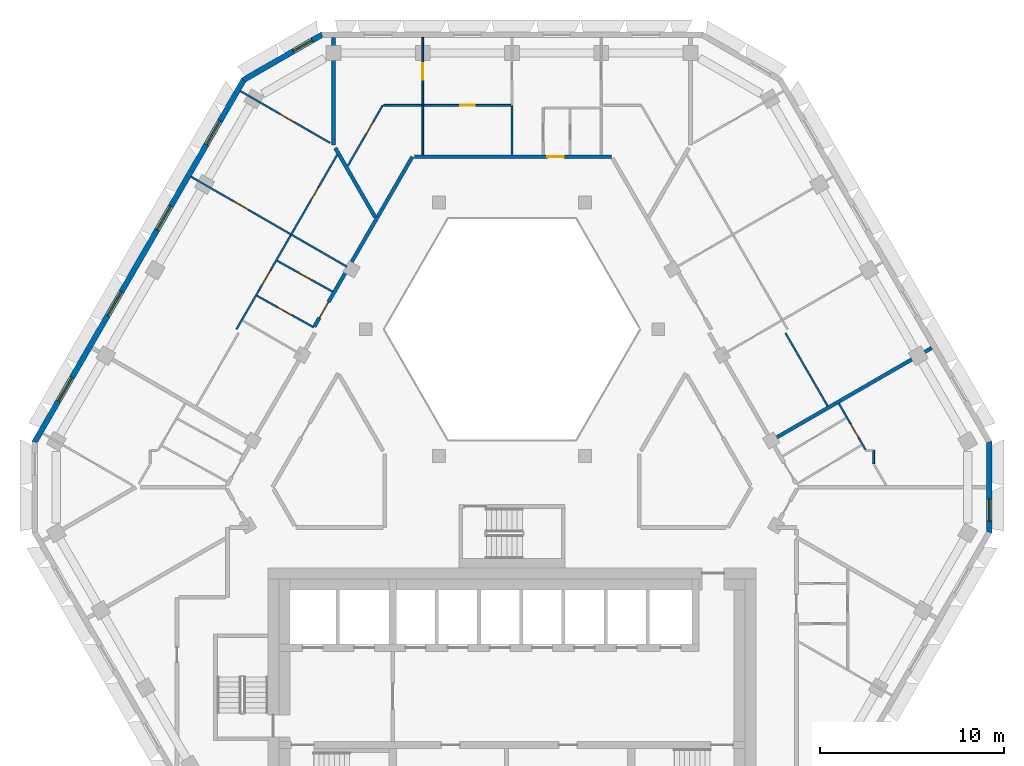
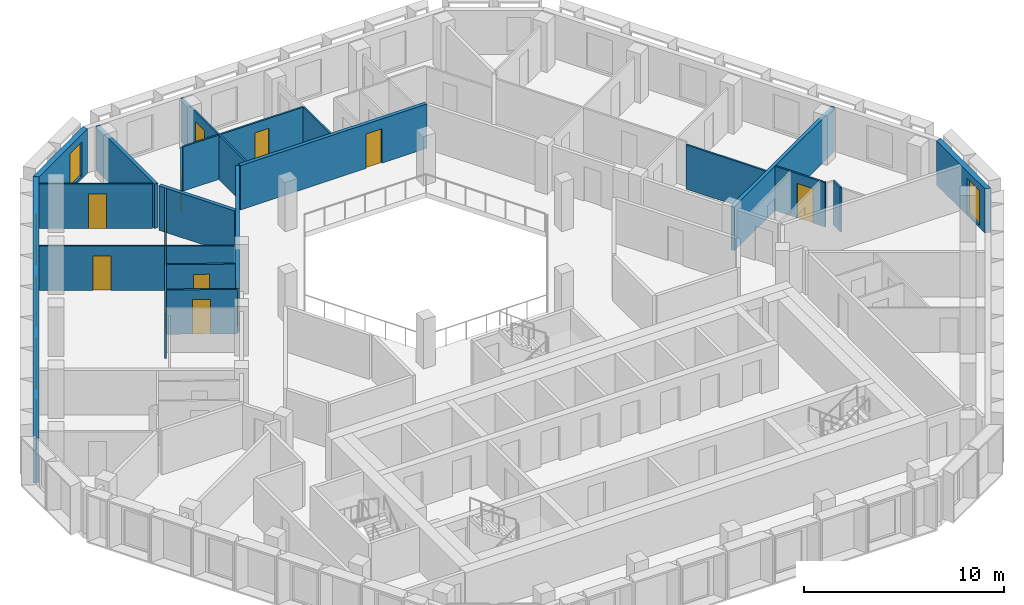
# One storey, part 6 of 14: 22 walls, 12 doors, 6 windows, 18 openings.
"""IFC4 building model written with IfcOpenShell, lengths in metres."""

import ifcopenshell
import ifcopenshell.guid

model = None  # the IFC model being written
_history = None  # IfcOwnerHistory: only IFC2X3 demands one
_inside = {}  # id of a spatial element -> (the spatial element, [elements in it])
_under = {}  # id of a project, library or spatial element -> (it, [spatial elements below it])
_declared = {}  # id of a project -> (the project, [libraries it declares])
_typed = {}  # id of a type object -> (the type object, [elements of that type])
_made_of = {}  # id of a material, layer set ... -> (it, [elements and type objects made of it])


def new_model(schema):
    """Start an empty IFC model of exactly this schema.

    Asked for "IFC4X3", IfcOpenShell would pick the latest addendum, in which some entities
    have other attributes; the version numbers below select the first issue.
    IFC2X3 requires an IfcOwnerHistory on every rooted entity: one is made here for all.
    """
    global model, _history
    if schema == "IFC4X3":
        model = ifcopenshell.file(schema_version=(4, 3, 0, 0))
    else:
        model = ifcopenshell.file(schema=schema)
    _inside.clear()
    _under.clear()
    _declared.clear()
    _typed.clear()
    _made_of.clear()
    _history = None
    if model.schema == "IFC2X3":
        org = make("IfcOrganization", Name="unknown")
        user = make(
            "IfcPersonAndOrganization",
            ThePerson=make("IfcPerson", FamilyName="unknown"),
            TheOrganization=org,
        )
        app = make(
            "IfcApplication",
            ApplicationDeveloper=org,
            Version="unknown",
            ApplicationFullName="unknown",
            ApplicationIdentifier="unknown",
        )
        _history = make(
            "IfcOwnerHistory",
            OwningUser=user,
            OwningApplication=app,
            ChangeAction="ADDED",
            CreationDate=0,
        )
    return model


def make(cls, **values):
    """One entity of the class cls with the attributes given. An attribute that is None is left unset."""
    return model.create_entity(
        cls, **{name: value for name, value in values.items() if value is not None}
    )


def rooted(cls, **values):
    """An entity with a GlobalId (a new one), such as an element, a storey or a relation."""
    return make(cls, GlobalId=ifcopenshell.guid.new(), OwnerHistory=_history, **values)


def si_unit(unit_type, name, prefix=None):
    """IfcSIUnit, for example si_unit("LENGTHUNIT", "METRE", prefix="MILLI")."""
    return make("IfcSIUnit", UnitType=unit_type, Prefix=prefix, Name=name)


def assignment(units):
    """IfcUnitAssignment: the units of a project."""
    return None if units is None else make("IfcUnitAssignment", Units=units)


def point(xyz):
    """IfcCartesianPoint."""
    return None if xyz is None else make("IfcCartesianPoint", Coordinates=xyz)


def direction(xyz):
    """IfcDirection."""
    return None if xyz is None else make("IfcDirection", DirectionRatios=xyz)


def frame(location, z_axis=None, x_axis=None):
    """IfcAxis2Placement3D, a coordinate frame: its origin and axes. An axis left out is left unset."""
    return make(
        "IfcAxis2Placement3D",
        Location=point(location),
        Axis=direction(z_axis),
        RefDirection=direction(x_axis),
    )


def frame_2d(location, x_axis=None):
    """IfcAxis2Placement2D, a coordinate frame in the plane: its origin and x axis."""
    return make(
        "IfcAxis2Placement2D", Location=point(location), RefDirection=direction(x_axis)
    )


def origin():
    """The frame at (0, 0, 0) with its axes left unset."""
    return frame((0.0, 0.0, 0.0))


def place(relative_to, where):
    """IfcLocalPlacement: puts the frame where relative to a parent placement (None: the world)."""
    return make(
        "IfcLocalPlacement", PlacementRelTo=relative_to, RelativePlacement=where
    )


def context(
    kind, dimensions, precision=None, world=None, true_north=None, identifier=None
):
    """IfcGeometricRepresentationContext, for example the 3D "Model" context."""
    return make(
        "IfcGeometricRepresentationContext",
        ContextIdentifier=identifier,
        ContextType=kind,
        CoordinateSpaceDimension=dimensions,
        Precision=precision,
        WorldCoordinateSystem=world,
        TrueNorth=true_north,
    )


def subcontext(parent, identifier, kind, view, scale=None):
    """IfcGeometricRepresentationSubContext, for example "Body" below "Model"."""
    return make(
        "IfcGeometricRepresentationSubContext",
        ContextIdentifier=identifier,
        ContextType=kind,
        ParentContext=parent,
        TargetScale=scale,
        TargetView=view,
    )


def project(units=None, contexts=None):
    """IfcProject with its units and contexts."""
    return rooted(
        "IfcProject",
        Name="project",
        RepresentationContexts=contexts,
        UnitsInContext=assignment(units),
    )


def spatial(cls, under=None, at=None, **own):
    """A site, building, storey or space (cls), placed at a placement, below another one or the project."""
    s = rooted(cls, ObjectPlacement=at, **own)
    if under is not None:
        _under.setdefault(under.id(), (under, []))[1].append(s)
    return s


def polyline(points):
    """IfcPolyline through the points."""
    return make("IfcPolyline", Points=[point(p) for p in points])


def profile(cls, at=None, kind="AREA", **sizes):
    """A parametric profile (cls). Its sizes go by their IFC names, for example OverallWidth=200.0."""
    return make(cls, ProfileType=kind, Position=at, **sizes)


def rectangle(**sizes):
    """IfcRectangleProfileDef."""
    return profile("IfcRectangleProfileDef", **sizes)


def outline(outer, holes=None, kind="AREA"):
    """IfcArbitraryClosedProfileDef: a profile drawn as a closed curve; with holes, ...WithVoids."""
    if holes is None:
        return make("IfcArbitraryClosedProfileDef", ProfileType=kind, OuterCurve=outer)
    return make(
        "IfcArbitraryProfileDefWithVoids",
        ProfileType=kind,
        OuterCurve=outer,
        InnerCurves=holes,
    )


def extrude(swept, where, along, depth):
    """IfcExtrudedAreaSolid: the profile swept, set in the frame where, extruded along a direction by depth."""
    return make(
        "IfcExtrudedAreaSolid",
        SweptArea=swept,
        Position=where,
        ExtrudedDirection=direction(along),
        Depth=depth,
    )


def shape(context_of_items, identifier, shape_type, items):
    """IfcShapeRepresentation: the items that make up one representation, for example the "Body"."""
    return make(
        "IfcShapeRepresentation",
        ContextOfItems=context_of_items,
        RepresentationIdentifier=identifier,
        RepresentationType=shape_type,
        Items=items,
    )


def material(Name=None, Category=None):
    """IfcMaterial."""
    return make("IfcMaterial", Name=Name, Category=Category)


def layer(
    of_material, thickness, ventilated=None, Name=None, Category=None, Priority=None
):
    """IfcMaterialLayer: one layer of a wall or slab, of a material (None: an air gap)."""
    return make(
        "IfcMaterialLayer",
        Material=of_material,
        LayerThickness=thickness,
        IsVentilated=ventilated,
        Name=Name,
        Category=Category,
        Priority=Priority,
    )


def layer_set(layers, Name=None):
    """IfcMaterialLayerSet."""
    return make("IfcMaterialLayerSet", MaterialLayers=layers, LayerSetName=Name)


def made_of(thing, what):
    """Note that an element or type object is made of a material, layer set ...; save() writes the relation."""
    if what is not None:
        _made_of.setdefault(what.id(), (what, []))[1].append(thing)
    return thing


def type_object(cls, material=None, **own):
    """A type object (cls), such as IfcWallType, which elements share."""
    return made_of(rooted(cls, **own), material)


def element(
    cls,
    number,
    at=None,
    inside=None,
    cuts=None,
    type_object=None,
    material=None,
    context=None,
    identifier="Body",
    shape_type=None,
    held_by="IfcProductDefinitionShape",
    body=None,
    shapes=None,
    **own,
):
    """One element of the class cls, such as IfcWall. Its Tag is "e" and its number.

    at: its placement. inside: the storey or other place that contains it. cuts: it is an
    opening in that element (IfcRelVoidsElement). A single representation is given by context,
    identifier, shape_type and body (its items); several are given by shapes. held_by: the class
    of the entity that holds the representations. save() writes the other relations.
    """
    e = rooted(cls, Tag="e%d" % number, ObjectPlacement=at, **own)
    if body is not None:
        shapes = [shape(context, identifier, shape_type, body)]
    if shapes is not None:
        e.Representation = make(held_by, Representations=shapes)
    if inside is not None:
        _inside.setdefault(inside.id(), (inside, []))[1].append(e)
    if cuts is not None:
        rooted(
            "IfcRelVoidsElement", RelatingBuildingElement=cuts, RelatedOpeningElement=e
        )
    if type_object is not None:
        _typed.setdefault(type_object.id(), (type_object, []))[1].append(e)
    return made_of(e, material)


def fill(opening, filler):
    """IfcRelFillsElement: the door or window that sits in an opening."""
    return rooted(
        "IfcRelFillsElement",
        RelatingOpeningElement=opening,
        RelatedBuildingElement=filler,
    )


def aggregate(whole, parts):
    """IfcRelAggregates: a whole, such as a stair, and the parts it consists of."""
    return rooted("IfcRelAggregates", RelatingObject=whole, RelatedObjects=parts)


def save(model, path):
    """Write the relations noted so far, then the file.

    IfcRelAggregates (storeys below a building ...), IfcRelContainedInSpatialStructure (elements
    in a storey), IfcRelDefinesByType, IfcRelAssociatesMaterial and IfcRelDeclares: one each for
    every whole, place, type object, material and project.
    """
    for whole, parts in _under.values():
        aggregate(whole, parts)
    for where, things in _inside.values():
        rooted(
            "IfcRelContainedInSpatialStructure",
            RelatedElements=things,
            RelatingStructure=where,
        )
    for kind, things in _typed.values():
        rooted("IfcRelDefinesByType", RelatedObjects=things, RelatingType=kind)
    for what, things in _made_of.values():
        rooted("IfcRelAssociatesMaterial", RelatedObjects=things, RelatingMaterial=what)
    for by, libraries in _declared.values():
        rooted("IfcRelDeclares", RelatingContext=by, RelatedDefinitions=libraries)
    model.write(path)


model = new_model("IFC4")

# Units and contexts
model_context = context("Model", 3, precision=1e-05, world=origin(), true_north=direction((0.0, 1.0)))
body_context = subcontext(model_context, "Body", "Model", "MODEL_VIEW")
ifc_project = project(units=[si_unit("LENGTHUNIT", "METRE"), si_unit("AREAUNIT", "SQUARE_METRE"), si_unit("VOLUMEUNIT", "CUBIC_METRE"), si_unit("PLANEANGLEUNIT", "RADIAN"), si_unit("MASSUNIT", "GRAM", prefix="KILO")], contexts=[model_context])

# Site, building, storey
site_placement = place(None, origin())
site = spatial("IfcSite", under=ifc_project, at=site_placement, CompositionType="ELEMENT")
building_placement = place(site_placement, origin())
building = spatial("IfcBuilding", under=site, at=building_placement, Name="Beryl Residences", CompositionType="ELEMENT")
storey_placement = place(building_placement, frame((0.0, 0.0, 181.199951171875)))
storey = spatial("IfcBuildingStorey", under=building, at=storey_placement, Name="L55", CompositionType="ELEMENT", Elevation=181.199951171875)

# Wall, opening, window
ifc_material_1 = material(Name="Composite metal panel with mineral wool insulation")
ifc_layer_1 = layer(ifc_material_1, 0.300048828125)
ifc_layer_set_1 = layer_set([ifc_layer_1], Name="ES1 pale metal composite panel wall 300 mm")
wall_type_1 = type_object("IfcWallType", Name="ES1 pale metal composite panel wall 300 mm", PredefinedType="SOLIDWALL", material=ifc_layer_set_1)
wall_1_placement = place(storey_placement, frame((-10.31689453125, 24.070068359375, 0.0), z_axis=(0.0, 0.0, 1.0), x_axis=(-0.866022959057, -0.500004234368, 0.0)))
wall_1 = element("IfcWall", 1, at=wall_1_placement, inside=storey, type_object=wall_type_1, Name="ES1 external wall L55 N-NW", PredefinedType="SOLIDWALL", context=body_context, shape_type="SweptSolid", body=[
    extrude(outline(polyline([(0.0, -0.14990234375), (5.0, -0.14990234375), (4.919677734375, 0.14990234375), (0.080322265625, 0.14990234375), (0.0, -0.14990234375)])), origin(), (0.0, 0.0, 1.0), 2.699951171875),
])
opening_1_placement = place(wall_1_placement, frame((0.64990234375, 0.0, 0.14990234375)))
opening_1 = element("IfcOpeningElement", 2, at=opening_1_placement, cuts=wall_1, Name="Opening W2", PredefinedType="OPENING", context=body_context, shape_type="SweptSolid", body=[
    extrude(rectangle(XDim=1.199951171875, YDim=2.10009765625, at=frame_2d((0.60009765625, 1.050048828125))), frame((0.0, 0.159912109375, 0.0), z_axis=(0.0, -1.0, 0.0), x_axis=(1.0, 0.0, 0.0)), (0.0, 0.0, 1.0), 0.320068359375),
])
ifc_material_2 = material(Name="Aluminium and clear glass", Category="aluminium")
window_type_1 = type_object("IfcWindowType", Name="W2 chamfer window 1200 x 2100 mm", PartitioningType="SINGLE_PANEL", PredefinedType="WINDOW", material=ifc_material_2)
window_1_placement = place(opening_1_placement, origin())
window_1 = element("IfcWindow", 3, at=window_1_placement, inside=storey, type_object=window_type_1, Name="W2 window L55 N-NW 1", OverallHeight=2.10009765625, OverallWidth=1.199951171875, PartitioningType="SINGLE_PANEL", PredefinedType="WINDOW", context=body_context, shape_type="SweptSolid", body=[
    extrude(rectangle(XDim=1.199951171875, YDim=2.10009765625, at=frame_2d((0.60009765625, 1.050048828125))), frame((0.0, 0.030029296875, 0.0), z_axis=(0.0, -1.0, 0.0), x_axis=(1.0, 0.0, 0.0)), (0.0, 0.0, 1.0), 0.06005859375),
])
fill(opening_1, window_1)

# Wall, openings, windows
wall_2_placement = place(storey_placement, frame((-14.592041015625, 21.625, 0.0), z_axis=(0.0, 0.0, 1.0), x_axis=(-0.500010537973, -0.866019319597, 0.0)))
wall_2 = element("IfcWall", 4, at=wall_2_placement, inside=storey, type_object=wall_type_1, Name="ES1 external wall L55 NW", PredefinedType="SOLIDWALL", context=body_context, shape_type="SweptSolid", body=[
    extrude(outline(polyline([(0.0, -0.14990234375), (22.86328125, -0.14990234375), (22.782958984375, 0.14990234375), (0.080322265625, 0.14990234375), (0.0, -0.14990234375)])), origin(), (0.0, 0.0, 1.0), 2.699951171875),
])
opening_2_placement = place(wall_2_placement, frame((2.60595703125, 0.0, 0.14990234375)))
opening_2 = element("IfcOpeningElement", 5, at=opening_2_placement, cuts=wall_2, Name="Opening W1", PredefinedType="OPENING", context=body_context, shape_type="SweptSolid", body=[
    extrude(rectangle(XDim=1.5, YDim=2.10009765625, at=frame_2d((0.75, 1.050048828125))), frame((0.0, 0.159912109375, 0.0), z_axis=(0.0, -1.0, 0.0), x_axis=(1.0, 0.0, 0.0)), (0.0, 0.0, 1.0), 0.320068359375),
])
opening_3_placement = place(wall_2_placement, frame((7.989990234375, 0.0, 0.14990234375)))
opening_3 = element("IfcOpeningElement", 6, at=opening_3_placement, cuts=wall_2, Name="Opening W1", PredefinedType="OPENING", context=body_context, shape_type="SweptSolid", body=[
    extrude(rectangle(XDim=1.5, YDim=2.10009765625, at=frame_2d((0.75, 1.050048828125))), frame((0.0, 0.159912109375, 0.0), z_axis=(0.0, -1.0, 0.0), x_axis=(1.0, 0.0, 0.0)), (0.0, 0.0, 1.0), 0.320068359375),
])
opening_4_placement = place(wall_2_placement, frame((13.373046875, 0.0, 0.14990234375)))
opening_4 = element("IfcOpeningElement", 7, at=opening_4_placement, cuts=wall_2, Name="Opening W1", PredefinedType="OPENING", context=body_context, shape_type="SweptSolid", body=[
    extrude(rectangle(XDim=1.5, YDim=2.10009765625, at=frame_2d((0.75, 1.050048828125))), frame((0.0, 0.159912109375, 0.0), z_axis=(0.0, -1.0, 0.0), x_axis=(1.0, 0.0, 0.0)), (0.0, 0.0, 1.0), 0.320068359375),
])
opening_5_placement = place(wall_2_placement, frame((18.758056640625, 0.0, 0.14990234375)))
opening_5 = element("IfcOpeningElement", 8, at=opening_5_placement, cuts=wall_2, Name="Opening W1", PredefinedType="OPENING", context=body_context, shape_type="SweptSolid", body=[
    extrude(rectangle(XDim=1.5, YDim=2.10009765625, at=frame_2d((0.75, 1.050048828125))), frame((0.0, 0.159912109375, 0.0), z_axis=(0.0, -1.0, 0.0), x_axis=(1.0, 0.0, 0.0)), (0.0, 0.0, 1.0), 0.320068359375),
])
ifc_material_3 = material(Name="Aluminium and clear glass", Category="aluminium")
window_type_2 = type_object("IfcWindowType", Name="W1 cell window 1500 x 2100 mm", PartitioningType="SINGLE_PANEL", PredefinedType="WINDOW", material=ifc_material_3)
window_2_placement = place(opening_2_placement, origin())
window_2 = element("IfcWindow", 9, at=window_2_placement, inside=storey, type_object=window_type_2, Name="W1 window L55 NW 2", OverallHeight=2.10009765625, OverallWidth=1.5, PartitioningType="SINGLE_PANEL", PredefinedType="WINDOW", context=body_context, shape_type="SweptSolid", body=[
    extrude(rectangle(XDim=1.5, YDim=2.10009765625, at=frame_2d((0.75, 1.050048828125))), frame((0.0, 0.030029296875, 0.0), z_axis=(0.0, -1.0, 0.0), x_axis=(1.0, 0.0, 0.0)), (0.0, 0.0, 1.0), 0.06005859375),
])
fill(opening_2, window_2)
window_3_placement = place(opening_3_placement, origin())
window_3 = element("IfcWindow", 10, at=window_3_placement, inside=storey, type_object=window_type_2, Name="W1 window L55 NW 4", OverallHeight=2.10009765625, OverallWidth=1.5, PartitioningType="SINGLE_PANEL", PredefinedType="WINDOW", context=body_context, shape_type="SweptSolid", body=[
    extrude(rectangle(XDim=1.5, YDim=2.10009765625, at=frame_2d((0.75, 1.050048828125))), frame((0.0, 0.030029296875, 0.0), z_axis=(0.0, -1.0, 0.0), x_axis=(1.0, 0.0, 0.0)), (0.0, 0.0, 1.0), 0.06005859375),
])
fill(opening_3, window_3)
window_4_placement = place(opening_4_placement, origin())
window_4 = element("IfcWindow", 11, at=window_4_placement, inside=storey, type_object=window_type_2, Name="W1 window L55 NW 6", OverallHeight=2.10009765625, OverallWidth=1.5, PartitioningType="SINGLE_PANEL", PredefinedType="WINDOW", context=body_context, shape_type="SweptSolid", body=[
    extrude(rectangle(XDim=1.5, YDim=2.10009765625, at=frame_2d((0.75, 1.050048828125))), frame((0.0, 0.030029296875, 0.0), z_axis=(0.0, -1.0, 0.0), x_axis=(1.0, 0.0, 0.0)), (0.0, 0.0, 1.0), 0.06005859375),
])
fill(opening_4, window_4)
window_5_placement = place(opening_5_placement, origin())
window_5 = element("IfcWindow", 12, at=window_5_placement, inside=storey, type_object=window_type_2, Name="W1 window L55 NW 8", OverallHeight=2.10009765625, OverallWidth=1.5, PartitioningType="SINGLE_PANEL", PredefinedType="WINDOW", context=body_context, shape_type="SweptSolid", body=[
    extrude(rectangle(XDim=1.5, YDim=2.10009765625, at=frame_2d((0.75, 1.050048828125))), frame((0.0, 0.030029296875, 0.0), z_axis=(0.0, -1.0, 0.0), x_axis=(1.0, 0.0, 0.0)), (0.0, 0.0, 1.0), 0.06005859375),
])
fill(opening_5, window_5)

# Wall, opening, window
wall_3_placement = place(storey_placement, frame((26.00390625, -3.10009765625, 0.0), z_axis=(0.0, 0.0, 1.0), x_axis=(0.0, 1.0, 0.0)))
wall_3 = element("IfcWall", 13, at=wall_3_placement, inside=storey, type_object=wall_type_1, Name="ES1 external wall L55 SE-NE", PredefinedType="SOLIDWALL", context=body_context, shape_type="SweptSolid", body=[
    extrude(outline(polyline([(0.0, -0.14990234375), (5.0, -0.14990234375), (4.919677734375, 0.14990234375), (0.080322265625, 0.14990234375), (0.0, -0.14990234375)])), origin(), (0.0, 0.0, 1.0), 2.699951171875),
])
opening_6_placement = place(wall_3_placement, frame((0.64990234375, 0.0, 0.14990234375)))
opening_6 = element("IfcOpeningElement", 14, at=opening_6_placement, cuts=wall_3, Name="Opening W2", PredefinedType="OPENING", context=body_context, shape_type="SweptSolid", body=[
    extrude(rectangle(XDim=1.199951171875, YDim=2.10009765625, at=frame_2d((0.60009765625, 1.050048828125))), frame((0.0, 0.159912109375, 0.0), z_axis=(0.0, -1.0, 0.0), x_axis=(1.0, 0.0, 0.0)), (0.0, 0.0, 1.0), 0.320068359375),
])
window_6_placement = place(opening_6_placement, origin())
window_6 = element("IfcWindow", 15, at=window_6_placement, inside=storey, type_object=window_type_1, Name="W2 window L55 SE-NE 1", OverallHeight=2.10009765625, OverallWidth=1.199951171875, PartitioningType="SINGLE_PANEL", PredefinedType="WINDOW", context=body_context, shape_type="SweptSolid", body=[
    extrude(rectangle(XDim=1.199951171875, YDim=2.10009765625, at=frame_2d((0.60009765625, 1.050048828125))), frame((0.0, 0.030029296875, 0.0), z_axis=(0.0, -1.0, 0.0), x_axis=(1.0, 0.0, 0.0)), (0.0, 0.0, 1.0), 0.06005859375),
])
fill(opening_6, window_6)

# Wall
ifc_material_4 = material(Name="Gypsum board partition on steel studs", Category="steel")
ifc_layer_2 = layer(ifc_material_4, 0.10009765625)
ifc_layer_set_2 = layer_set([ifc_layer_2], Name="PT1 partition 100 mm gypsum board on steel studs")
wall_type_2 = type_object("IfcWallType", Name="PT1 partition 100 mm gypsum board on steel studs", PredefinedType="PARTITIONING", material=ifc_layer_set_2)
wall_4_placement = place(storey_placement, frame((14.89501953125, 7.800048828125, 0.0), z_axis=(0.0, 0.0, 1.0), x_axis=(0.500050787847, -0.865996079421, 0.0)))
element("IfcWall", 16, at=wall_4_placement, inside=storey, type_object=wall_type_2, Name="Wall PT1 L55 002", PredefinedType="PARTITIONING", context=body_context, shape_type="SweptSolid", body=[
    extrude(rectangle(XDim=4.59130859375, YDim=0.10009765625, at=frame_2d((2.295654296875, 0.0))), origin(), (0.0, 0.0, 1.0), 2.699951171875),
])

# Wall, opening, door
wall_5_placement = place(storey_placement, frame((17.81103515625, 3.950927734375, 0.0), z_axis=(0.0, 0.0, 1.0), x_axis=(0.499976149225, -0.866039173598, 0.0)))
wall_5 = element("IfcWall", 17, at=wall_5_placement, inside=storey, type_object=wall_type_2, Name="Wall PT1 L55 004", PredefinedType="PARTITIONING", context=body_context, shape_type="SweptSolid", body=[
    extrude(rectangle(XDim=2.887939453125, YDim=0.10009765625, at=frame_2d((1.44384765625, 0.0))), origin(), (0.0, 0.0, 1.0), 2.699951171875),
])
opening_7_placement = place(wall_5_placement, frame((1.27587890625, 0.0, 0.0)))
opening_7 = element("IfcOpeningElement", 18, at=opening_7_placement, cuts=wall_5, Name="Opening D1741", PredefinedType="OPENING", context=body_context, shape_type="SweptSolid", body=[
    extrude(rectangle(XDim=0.89990234375, YDim=2.10009765625, at=frame_2d((0.449951171875, 1.050048828125))), frame((0.0, 0.06005859375, 0.0), z_axis=(0.0, -1.0, 0.0), x_axis=(1.0, 0.0, 0.0)), (0.0, 0.0, 1.0), 0.1201171875),
])
ifc_material_5 = material(Name="Timber door leaf", Category="wood")
door_type_1 = type_object("IfcDoorType", Name="D2 room door 900 x 2100 mm", OperationType="SINGLE_SWING_LEFT", PredefinedType="DOOR", material=ifc_material_5)
door_1_placement = place(opening_7_placement, origin())
door_1 = element("IfcDoor", 19, at=door_1_placement, inside=storey, type_object=door_type_1, Name="Door D1741 L55 001", OperationType="SINGLE_SWING_LEFT", OverallHeight=2.10009765625, OverallWidth=0.89990234375, PredefinedType="DOOR", context=body_context, shape_type="SweptSolid", body=[
    extrude(rectangle(XDim=0.89990234375, YDim=2.10009765625, at=frame_2d((0.449951171875, 1.050048828125))), frame((0.0, 0.02490234375, 0.0), z_axis=(0.0, -1.0, 0.0), x_axis=(1.0, 0.0, 0.0)), (0.0, 0.0, 1.0), 0.050048828125),
])
fill(opening_7, door_1)

# Wall
wall_6_placement = place(storey_placement, frame((0.0, 20.169921875, 0.0), z_axis=(0.0, 0.0, 1.0), x_axis=(0.0, -1.0, 0.0)))
element("IfcWall", 20, at=wall_6_placement, inside=storey, type_object=wall_type_2, Name="Wall PT1 L55 006", PredefinedType="PARTITIONING", context=body_context, shape_type="SweptSolid", body=[
    extrude(rectangle(XDim=2.669921875, YDim=0.10009765625, at=frame_2d((1.3349609375, 0.0))), origin(), (0.0, 0.0, 1.0), 2.699951171875),
])

# Wall, opening, door
wall_7_placement = place(storey_placement, frame((-12.798095703125, 11.735107421875, 0.0), z_axis=(0.0, 0.0, 1.0), x_axis=(0.873649600774, -0.486555623816, 0.0)))
wall_7 = element("IfcWall", 21, at=wall_7_placement, inside=storey, type_object=wall_type_2, Name="Wall PT1 L55 010", PredefinedType="PARTITIONING", context=body_context, shape_type="SweptSolid", body=[
    extrude(rectangle(XDim=3.451171875, YDim=0.10009765625, at=frame_2d((1.7255859375, 0.0))), origin(), (0.0, 0.0, 1.0), 2.699951171875),
])
opening_8_placement = place(wall_7_placement, frame((1.35009765625, 0.0, 0.0)))
opening_8 = element("IfcOpeningElement", 22, at=opening_8_placement, cuts=wall_7, Name="Opening D1718", PredefinedType="OPENING", context=body_context, shape_type="SweptSolid", body=[
    extrude(rectangle(XDim=0.800048828125, YDim=2.10009765625, at=frame_2d((0.39990234375, 1.050048828125))), frame((0.0, 0.06005859375, 0.0), z_axis=(0.0, -1.0, 0.0), x_axis=(1.0, 0.0, 0.0)), (0.0, 0.0, 1.0), 0.1201171875),
])
ifc_material_6 = material(Name="Timber door leaf", Category="wood")
door_type_2 = type_object("IfcDoorType", Name="D3 bathroom door 800 x 2100 mm", OperationType="SINGLE_SWING_LEFT", PredefinedType="DOOR", material=ifc_material_6)
door_2_placement = place(opening_8_placement, origin())
door_2 = element("IfcDoor", 23, at=door_2_placement, inside=storey, type_object=door_type_2, Name="Door D1718 L55 001", OperationType="SINGLE_SWING_RIGHT", OverallHeight=2.10009765625, OverallWidth=0.800048828125, PredefinedType="DOOR", context=body_context, shape_type="SweptSolid", body=[
    extrude(rectangle(XDim=0.800048828125, YDim=2.10009765625, at=frame_2d((0.39990234375, 1.050048828125))), frame((0.0, 0.02490234375, 0.0), z_axis=(0.0, -1.0, 0.0), x_axis=(1.0, 0.0, 0.0)), (0.0, 0.0, 1.0), 0.050048828125),
])
fill(opening_8, door_2)

wall_8_placement = place(storey_placement, frame((-13.89794921875, 9.8291015625, 0.0), z_axis=(0.0, 0.0, 1.0), x_axis=(0.873715787747, -0.486436760784, 0.0)))
wall_8 = element("IfcWall", 24, at=wall_8_placement, inside=storey, type_object=wall_type_2, Name="Wall PT1 L55 011", PredefinedType="PARTITIONING", context=body_context, shape_type="SweptSolid", body=[
    extrude(rectangle(XDim=3.55029296875, YDim=0.10009765625, at=frame_2d((1.775146484375, 0.0))), origin(), (0.0, 0.0, 1.0), 2.699951171875),
])
opening_9_placement = place(wall_8_placement, frame((1.300048828125, 0.0, 0.0)))
opening_9 = element("IfcOpeningElement", 25, at=opening_9_placement, cuts=wall_8, Name="Opening D1719", PredefinedType="OPENING", context=body_context, shape_type="SweptSolid", body=[
    extrude(rectangle(XDim=0.89990234375, YDim=2.10009765625, at=frame_2d((0.449951171875, 1.050048828125))), frame((0.0, 0.06005859375, 0.0), z_axis=(0.0, -1.0, 0.0), x_axis=(1.0, 0.0, 0.0)), (0.0, 0.0, 1.0), 0.1201171875),
])
door_3_placement = place(opening_9_placement, origin())
door_3 = element("IfcDoor", 26, at=door_3_placement, inside=storey, type_object=door_type_1, Name="Door D1719 L55 001", OperationType="SINGLE_SWING_LEFT", OverallHeight=2.10009765625, OverallWidth=0.89990234375, PredefinedType="DOOR", context=body_context, shape_type="SweptSolid", body=[
    extrude(rectangle(XDim=0.89990234375, YDim=2.10009765625, at=frame_2d((0.449951171875, 1.050048828125))), frame((0.0, 0.02490234375, 0.0), z_axis=(0.0, -1.0, 0.0), x_axis=(1.0, 0.0, 0.0)), (0.0, 0.0, 1.0), 0.050048828125),
])
fill(opening_9, door_3)

wall_9_placement = place(storey_placement, frame((-17.486083984375, 16.31298828125, 0.0), z_axis=(0.0, 0.0, 1.0), x_axis=(0.865997114097, -0.500048995975, 0.0)))
wall_9 = element("IfcWall", 27, at=wall_9_placement, inside=storey, type_object=wall_type_2, Name="Wall PT1 L55 015", PredefinedType="PARTITIONING", context=body_context, shape_type="SweptSolid", body=[
    extrude(rectangle(XDim=6.299072265625, YDim=0.10009765625, at=frame_2d((3.1494140625, 0.0))), origin(), (0.0, 0.0, 1.0), 2.699951171875),
])
opening_10_placement = place(wall_9_placement, frame((2.698974609375, 0.0, 0.0)))
opening_10 = element("IfcOpeningElement", 28, at=opening_10_placement, cuts=wall_9, Name="Opening D1721", PredefinedType="OPENING", context=body_context, shape_type="SweptSolid", body=[
    extrude(rectangle(XDim=0.89990234375, YDim=2.10009765625, at=frame_2d((0.449951171875, 1.050048828125))), frame((0.0, 0.06005859375, 0.0), z_axis=(0.0, -1.0, 0.0), x_axis=(1.0, 0.0, 0.0)), (0.0, 0.0, 1.0), 0.1201171875),
])
door_4_placement = place(opening_10_placement, origin())
door_4 = element("IfcDoor", 29, at=door_4_placement, inside=storey, type_object=door_type_1, Name="Door D1721 L55 001", OperationType="SINGLE_SWING_LEFT", OverallHeight=2.10009765625, OverallWidth=0.89990234375, PredefinedType="DOOR", context=body_context, shape_type="SweptSolid", body=[
    extrude(rectangle(XDim=0.89990234375, YDim=2.10009765625, at=frame_2d((0.449951171875, 1.050048828125))), frame((0.0, 0.02490234375, 0.0), z_axis=(0.0, -1.0, 0.0), x_axis=(1.0, 0.0, 0.0)), (0.0, 0.0, 1.0), 0.050048828125),
])
fill(opening_10, door_4)

wall_10_placement = place(storey_placement, frame((-14.7939453125, 20.97509765625, 0.0), z_axis=(0.0, 0.0, 1.0), x_axis=(0.866011447264, -0.500024172624, 0.0)))
wall_10 = element("IfcWall", 30, at=wall_10_placement, inside=storey, type_object=wall_type_2, Name="Wall PT1 L55 016", PredefinedType="PARTITIONING", context=body_context, shape_type="SweptSolid", body=[
    extrude(rectangle(XDim=5.650146484375, YDim=0.10009765625, at=frame_2d((2.8251953125, 0.0))), origin(), (0.0, 0.0, 1.0), 2.699951171875),
])
opening_11_placement = place(wall_10_placement, frame((2.47509765625, 0.0, 0.0)))
opening_11 = element("IfcOpeningElement", 31, at=opening_11_placement, cuts=wall_10, Name="Opening D1723", PredefinedType="OPENING", context=body_context, shape_type="SweptSolid", body=[
    extrude(rectangle(XDim=0.89990234375, YDim=2.10009765625, at=frame_2d((0.449951171875, 1.050048828125))), frame((0.0, 0.06005859375, 0.0), z_axis=(0.0, -1.0, 0.0), x_axis=(1.0, 0.0, 0.0)), (0.0, 0.0, 1.0), 0.1201171875),
])
door_5_placement = place(opening_11_placement, origin())
door_5 = element("IfcDoor", 32, at=door_5_placement, inside=storey, type_object=door_type_1, Name="Door D1723 L55 001", OperationType="SINGLE_SWING_LEFT", OverallHeight=2.10009765625, OverallWidth=0.89990234375, PredefinedType="DOOR", context=body_context, shape_type="SweptSolid", body=[
    extrude(rectangle(XDim=0.89990234375, YDim=2.10009765625, at=frame_2d((0.449951171875, 1.050048828125))), frame((0.0, 0.02490234375, 0.0), z_axis=(0.0, -1.0, 0.0), x_axis=(1.0, 0.0, 0.0)), (0.0, 0.0, 1.0), 0.050048828125),
])
fill(opening_11, door_5)

wall_11_placement = place(storey_placement, frame((-6.985107421875, 20.199951171875, 0.0), z_axis=(0.0, 0.0, 1.0), x_axis=(1.0, 0.0, 0.0)))
wall_11 = element("IfcWall", 33, at=wall_11_placement, inside=storey, type_object=wall_type_2, Name="Wall PT1 L55 022", PredefinedType="PARTITIONING", context=body_context, shape_type="SweptSolid", body=[
    extrude(rectangle(XDim=6.93505859375, YDim=0.10009765625, at=frame_2d((3.467529296875, 0.0))), origin(), (0.0, 0.0, 1.0), 2.699951171875),
])
opening_12_placement = place(wall_11_placement, frame((4.153076171875, 0.0, 0.0)))
opening_12 = element("IfcOpeningElement", 34, at=opening_12_placement, cuts=wall_11, Name="Opening D1714", PredefinedType="OPENING", context=body_context, shape_type="SweptSolid", body=[
    extrude(rectangle(XDim=0.800048828125, YDim=2.10009765625, at=frame_2d((0.39990234375, 1.050048828125))), frame((0.0, 0.06005859375, 0.0), z_axis=(0.0, -1.0, 0.0), x_axis=(1.0, 0.0, 0.0)), (0.0, 0.0, 1.0), 0.1201171875),
])
door_6_placement = place(opening_12_placement, origin())
door_6 = element("IfcDoor", 35, at=door_6_placement, inside=storey, type_object=door_type_2, Name="Door D1714 L55 001", OperationType="SINGLE_SWING_RIGHT", OverallHeight=2.10009765625, OverallWidth=0.800048828125, PredefinedType="DOOR", context=body_context, shape_type="SweptSolid", body=[
    extrude(rectangle(XDim=0.800048828125, YDim=2.10009765625, at=frame_2d((0.39990234375, 1.050048828125))), frame((0.0, 0.02490234375, 0.0), z_axis=(0.0, -1.0, 0.0), x_axis=(1.0, 0.0, 0.0)), (0.0, 0.0, 1.0), 0.050048828125),
])
fill(opening_12, door_6)

wall_12_placement = place(storey_placement, frame((-8.948974609375, 16.89990234375, 0.0), z_axis=(0.0, 0.0, 1.0), x_axis=(0.499949850951, 0.866054355415, 0.0)))
wall_12 = element("IfcWall", 36, at=wall_12_placement, inside=storey, type_object=wall_type_2, Name="Wall PT1 L55 024", PredefinedType="PARTITIONING", context=body_context, shape_type="SweptSolid", body=[
    extrude(rectangle(XDim=3.810546875, YDim=0.10009765625, at=frame_2d((1.9052734375, 0.0))), origin(), (0.0, 0.0, 1.0), 2.699951171875),
])
opening_13_placement = place(wall_12_placement, frame((1.991943359375, 0.0, 0.0)))
opening_13 = element("IfcOpeningElement", 37, at=opening_13_placement, cuts=wall_12, Name="Opening D1716", PredefinedType="OPENING", context=body_context, shape_type="SweptSolid", body=[
    extrude(rectangle(XDim=0.800048828125, YDim=2.10009765625, at=frame_2d((0.39990234375, 1.050048828125))), frame((0.0, 0.06005859375, 0.0), z_axis=(0.0, -1.0, 0.0), x_axis=(1.0, 0.0, 0.0)), (0.0, 0.0, 1.0), 0.1201171875),
])
door_7_placement = place(opening_13_placement, origin())
door_7 = element("IfcDoor", 38, at=door_7_placement, inside=storey, type_object=door_type_2, Name="Door D1716 L55 001", OperationType="SINGLE_SWING_RIGHT", OverallHeight=2.10009765625, OverallWidth=0.800048828125, PredefinedType="DOOR", context=body_context, shape_type="SweptSolid", body=[
    extrude(rectangle(XDim=0.800048828125, YDim=2.10009765625, at=frame_2d((0.39990234375, 1.050048828125))), frame((0.0, 0.02490234375, 0.0), z_axis=(0.0, -1.0, 0.0), x_axis=(1.0, 0.0, 0.0)), (0.0, 0.0, 1.0), 0.050048828125),
])
fill(opening_13, door_7)

# Wall, openings, doors
wall_13_placement = place(storey_placement, frame((-15.011962890625, 8.0, 0.0), z_axis=(0.0, 0.0, 1.0), x_axis=(0.500047346826, 0.865998066356, 0.0)))
wall_13 = element("IfcWall", 39, at=wall_13_placement, inside=storey, type_object=wall_type_2, Name="Wall PT1 L55 026", PredefinedType="PARTITIONING", context=body_context, shape_type="SweptSolid", body=[
    extrude(rectangle(XDim=10.97119140625, YDim=0.10009765625, at=frame_2d((5.485595703125, 0.0))), origin(), (0.0, 0.0, 1.0), 2.699951171875),
])
opening_14_placement = place(wall_13_placement, frame((2.791015625, 0.0, 0.0)))
opening_14 = element("IfcOpeningElement", 40, at=opening_14_placement, cuts=wall_13, Name="Opening D1720", PredefinedType="OPENING", context=body_context, shape_type="SweptSolid", body=[
    extrude(rectangle(XDim=0.89990234375, YDim=2.10009765625, at=frame_2d((0.449951171875, 1.050048828125))), frame((0.0, 0.06005859375, 0.0), z_axis=(0.0, -1.0, 0.0), x_axis=(1.0, 0.0, 0.0)), (0.0, 0.0, 1.0), 0.1201171875),
])
opening_15_placement = place(wall_13_placement, frame((8.1240234375, 0.0, 0.0)))
opening_15 = element("IfcOpeningElement", 41, at=opening_15_placement, cuts=wall_13, Name="Opening D1724", PredefinedType="OPENING", context=body_context, shape_type="SweptSolid", body=[
    extrude(rectangle(XDim=0.800048828125, YDim=2.10009765625, at=frame_2d((0.39990234375, 1.050048828125))), frame((0.0, 0.06005859375, 0.0), z_axis=(0.0, -1.0, 0.0), x_axis=(1.0, 0.0, 0.0)), (0.0, 0.0, 1.0), 0.1201171875),
])
door_8_placement = place(opening_14_placement, origin())
door_8 = element("IfcDoor", 42, at=door_8_placement, inside=storey, type_object=door_type_1, Name="Door D1720 L55 001", OperationType="SINGLE_SWING_RIGHT", OverallHeight=2.10009765625, OverallWidth=0.89990234375, PredefinedType="DOOR", context=body_context, shape_type="SweptSolid", body=[
    extrude(rectangle(XDim=0.89990234375, YDim=2.10009765625, at=frame_2d((0.449951171875, 1.050048828125))), frame((0.0, 0.02490234375, 0.0), z_axis=(0.0, -1.0, 0.0), x_axis=(1.0, 0.0, 0.0)), (0.0, 0.0, 1.0), 0.050048828125),
])
fill(opening_14, door_8)
door_9_placement = place(opening_15_placement, origin())
door_9 = element("IfcDoor", 43, at=door_9_placement, inside=storey, type_object=door_type_2, Name="Door D1724 L55 001", OperationType="SINGLE_SWING_RIGHT", OverallHeight=2.10009765625, OverallWidth=0.800048828125, PredefinedType="DOOR", context=body_context, shape_type="SweptSolid", body=[
    extrude(rectangle(XDim=0.800048828125, YDim=2.10009765625, at=frame_2d((0.39990234375, 1.050048828125))), frame((0.0, 0.02490234375, 0.0), z_axis=(0.0, -1.0, 0.0), x_axis=(1.0, 0.0, 0.0)), (0.0, 0.0, 1.0), 0.050048828125),
])
fill(opening_15, door_9)

# Walls
wall_14_placement = place(storey_placement, frame((19.699951171875, 0.678955078125, 0.0), z_axis=(0.0, 0.0, 1.0), x_axis=(0.0, 1.0, 0.0)))
element("IfcWall", 44, at=wall_14_placement, inside=storey, type_object=wall_type_2, Name="Wall PT1 L55 033", PredefinedType="PARTITIONING", context=body_context, shape_type="SweptSolid", body=[
    extrude(rectangle(XDim=0.720947265625, YDim=0.10009765625, at=frame_2d((0.3603515625, 0.0))), origin(), (0.0, 0.0, 1.0), 2.699951171875),
])
wall_15_placement = place(storey_placement, frame((-4.864013671875, 17.5, 0.0), z_axis=(0.0, 0.0, 1.0), x_axis=(0.0, 1.0, 0.0)))
element("IfcWall", 45, at=wall_15_placement, inside=storey, type_object=wall_type_2, Name="Wall PT1 L55 035", PredefinedType="PARTITIONING", context=body_context, shape_type="SweptSolid", body=[
    extrude(rectangle(XDim=2.699951171875, YDim=0.10009765625, at=frame_2d((1.35009765625, 0.0))), origin(), (0.0, 0.0, 1.0), 2.699951171875),
])
wall_16_placement = place(storey_placement, frame((-12.031005859375, 13.1630859375, 0.0), z_axis=(0.0, 0.0, 1.0), x_axis=(0.86608920467, -0.499889477339, 0.0)))
element("IfcWall", 46, at=wall_16_placement, inside=storey, type_object=wall_type_2, Name="Wall PT1 L55 044", PredefinedType="PARTITIONING", context=body_context, shape_type="SweptSolid", body=[
    extrude(rectangle(XDim=3.500732421875, YDim=0.10009765625, at=frame_2d((1.75048828125, 0.0))), origin(), (0.0, 0.0, 1.0), 2.699951171875),
])

# Wall, opening, door
wall_17_placement = place(storey_placement, frame((-4.864013671875, 20.199951171875, 0.0), z_axis=(0.0, 0.0, 1.0), x_axis=(0.0, 1.0, 0.0)))
wall_17 = element("IfcWall", 47, at=wall_17_placement, inside=storey, type_object=wall_type_2, Name="Wall PT1 L55 045", PredefinedType="PARTITIONING", context=body_context, shape_type="SweptSolid", body=[
    extrude(rectangle(XDim=3.699951171875, YDim=0.10009765625, at=frame_2d((1.85009765625, 0.0))), origin(), (0.0, 0.0, 1.0), 2.699951171875),
])
opening_16_placement = place(wall_17_placement, frame((1.39990234375, 0.0, 0.0)))
opening_16 = element("IfcOpeningElement", 48, at=opening_16_placement, cuts=wall_17, Name="Opening D1715", PredefinedType="OPENING", context=body_context, shape_type="SweptSolid", body=[
    extrude(rectangle(XDim=0.89990234375, YDim=2.10009765625, at=frame_2d((0.449951171875, 1.050048828125))), frame((0.0, 0.06005859375, 0.0), z_axis=(0.0, -1.0, 0.0), x_axis=(1.0, 0.0, 0.0)), (0.0, 0.0, 1.0), 0.1201171875),
])
door_10_placement = place(opening_16_placement, origin())
door_10 = element("IfcDoor", 49, at=door_10_placement, inside=storey, type_object=door_type_1, Name="Door D1715 L55 001", OperationType="SINGLE_SWING_LEFT", OverallHeight=2.10009765625, OverallWidth=0.89990234375, PredefinedType="DOOR", context=body_context, shape_type="SweptSolid", body=[
    extrude(rectangle(XDim=0.89990234375, YDim=2.10009765625, at=frame_2d((0.449951171875, 1.050048828125))), frame((0.0, 0.02490234375, 0.0), z_axis=(0.0, -1.0, 0.0), x_axis=(1.0, 0.0, 0.0)), (0.0, 0.0, 1.0), 0.050048828125),
])
fill(opening_16, door_10)

# Walls
ifc_material_7 = material(Name="Acoustic double stud gypsum board wall")
ifc_layer_3 = layer(ifc_material_7, 0.199951171875)
ifc_layer_set_3 = layer_set([ifc_layer_3], Name="PT3 party wall 200 mm acoustic double stud")
wall_type_3 = type_object("IfcWallType", Name="PT3 party wall 200 mm acoustic double stud", PredefinedType="PARTITIONING", material=ifc_layer_set_3)
wall_18_placement = place(storey_placement, frame((-9.6279296875, 17.876953125, 0.0), z_axis=(0.0, 0.0, 1.0), x_axis=(0.499890461358, -0.866088636713, 0.0)))
element("IfcWall", 50, at=wall_18_placement, inside=storey, type_object=wall_type_3, Name="Wall PT3 L55 001", PredefinedType="PARTITIONING", context=body_context, shape_type="SweptSolid", body=[
    extrude(rectangle(XDim=4.36083984375, YDim=0.199951171875, at=frame_2d((2.180419921875, 0.0))), origin(), (0.0, 0.0, 1.0), 2.699951171875),
])
wall_19_placement = place(storey_placement, frame((-9.72802734375, 18.050048828125, 0.0), z_axis=(0.0, 0.0, 1.0), x_axis=(0.0, 1.0, 0.0)))
element("IfcWall", 51, at=wall_19_placement, inside=storey, type_object=wall_type_3, Name="Wall PT3 L55 009", PredefinedType="PARTITIONING", context=body_context, shape_type="SweptSolid", body=[
    extrude(rectangle(XDim=5.849853515625, YDim=0.199951171875, at=frame_2d((2.9248046875, 0.0))), origin(), (0.0, 0.0, 1.0), 2.699951171875),
])
wall_20_placement = place(storey_placement, frame((14.2099609375, 1.987060546875, 0.0), z_axis=(0.0, 0.0, 1.0), x_axis=(0.866022959057, 0.500004234368, 0.0)))
element("IfcWall", 52, at=wall_20_placement, inside=storey, type_object=wall_type_3, Name="Wall PT3 L55 010", PredefinedType="PARTITIONING", context=body_context, shape_type="SweptSolid", body=[
    extrude(rectangle(XDim=10.0, YDim=0.199951171875, at=frame_2d((5.0, 0.0))), origin(), (0.0, 0.0, 1.0), 2.699951171875),
])

# Wall, opening, door
ifc_material_8 = material(Name="Double stud gypsum board wall")
ifc_layer_4 = layer(ifc_material_8, 0.199951171875)
ifc_layer_set_4 = layer_set([ifc_layer_4], Name="PT4 corridor wall 200 mm double stud")
wall_type_4 = type_object("IfcWallType", Name="PT4 corridor wall 200 mm double stud", PredefinedType="PARTITIONING", material=ifc_layer_set_4)
wall_21_placement = place(storey_placement, frame((-5.31103515625, 17.39990234375, 0.0), z_axis=(0.0, 0.0, 1.0), x_axis=(1.0, 0.0, 0.0)))
wall_21 = element("IfcWall", 53, at=wall_21_placement, inside=storey, type_object=wall_type_4, Name="Wall PT4 L55 014", PredefinedType="PARTITIONING", context=body_context, shape_type="SweptSolid", body=[
    extrude(rectangle(XDim=10.737060546875, YDim=0.199951171875, at=frame_2d((5.36865234375, 0.0))), origin(), (0.0, 0.0, 1.0), 2.699951171875),
])
opening_17_placement = place(wall_21_placement, frame((7.242919921875, 0.0, 0.0)))
opening_17 = element("IfcOpeningElement", 54, at=opening_17_placement, cuts=wall_21, Name="Opening D1708", PredefinedType="OPENING", context=body_context, shape_type="SweptSolid", body=[
    extrude(rectangle(XDim=0.89990234375, YDim=2.10009765625, at=frame_2d((0.449951171875, 1.050048828125))), frame((0.0, 0.10986328125, 0.0), z_axis=(0.0, -1.0, 0.0), x_axis=(1.0, 0.0, 0.0)), (0.0, 0.0, 1.0), 0.219970703125),
])
ifc_material_9 = material(Name="Timber door leaf", Category="wood")
door_type_3 = type_object("IfcDoorType", Name="D11 flat entrance door 900 x 2100 mm", OperationType="SINGLE_SWING_LEFT", PredefinedType="DOOR", material=ifc_material_9)
door_11_placement = place(opening_17_placement, origin())
door_11 = element("IfcDoor", 55, at=door_11_placement, inside=storey, type_object=door_type_3, Name="Door D1708 L55 001", OperationType="SINGLE_SWING_RIGHT", OverallHeight=2.10009765625, OverallWidth=0.89990234375, PredefinedType="DOOR", context=body_context, shape_type="SweptSolid", body=[
    extrude(rectangle(XDim=0.89990234375, YDim=2.10009765625, at=frame_2d((0.449951171875, 1.050048828125))), frame((0.0, 0.02490234375, 0.0), z_axis=(0.0, -1.0, 0.0), x_axis=(1.0, 0.0, 0.0)), (0.0, 0.0, 1.0), 0.050048828125),
])
fill(opening_17, door_11)

wall_22_placement = place(storey_placement, frame((-10.77099609375, 8.14501953125, 0.0), z_axis=(0.0, 0.0, 1.0), x_axis=(0.500048075867, 0.865997645391, 0.0)))
wall_22 = element("IfcWall", 56, at=wall_22_placement, inside=storey, type_object=wall_type_4, Name="Wall PT4 L55 020", PredefinedType="PARTITIONING", context=body_context, shape_type="SweptSolid", body=[
    extrude(rectangle(XDim=10.68701171875, YDim=0.199951171875, at=frame_2d((5.343505859375, 0.0))), origin(), (0.0, 0.0, 1.0), 2.699951171875),
])
opening_18_placement = place(wall_22_placement, frame((0.549072265625, 0.0, 0.0)))
opening_18 = element("IfcOpeningElement", 57, at=opening_18_placement, cuts=wall_22, Name="Opening D1717", PredefinedType="OPENING", context=body_context, shape_type="SweptSolid", body=[
    extrude(rectangle(XDim=1.0, YDim=2.10009765625, at=frame_2d((0.5, 1.050048828125))), frame((0.0, 0.10986328125, 0.0), z_axis=(0.0, -1.0, 0.0), x_axis=(1.0, 0.0, 0.0)), (0.0, 0.0, 1.0), 0.219970703125),
])
ifc_material_10 = material(Name="Timber door leaf", Category="wood")
door_type_4 = type_object("IfcDoorType", Name="D1 flat entrance door 1000 x 2100 mm", OperationType="SINGLE_SWING_LEFT", PredefinedType="DOOR", material=ifc_material_10)
door_12_placement = place(opening_18_placement, origin())
door_12 = element("IfcDoor", 58, at=door_12_placement, inside=storey, type_object=door_type_4, Name="Door D1717 L55 001", OperationType="SINGLE_SWING_LEFT", OverallHeight=2.10009765625, OverallWidth=1.0, PredefinedType="DOOR", context=body_context, shape_type="SweptSolid", body=[
    extrude(rectangle(XDim=1.0, YDim=2.10009765625, at=frame_2d((0.5, 1.050048828125))), frame((0.0, 0.02490234375, 0.0), z_axis=(0.0, -1.0, 0.0), x_axis=(1.0, 0.0, 0.0)), (0.0, 0.0, 1.0), 0.050048828125),
])
fill(opening_18, door_12)

save(model, "model.ifc")
